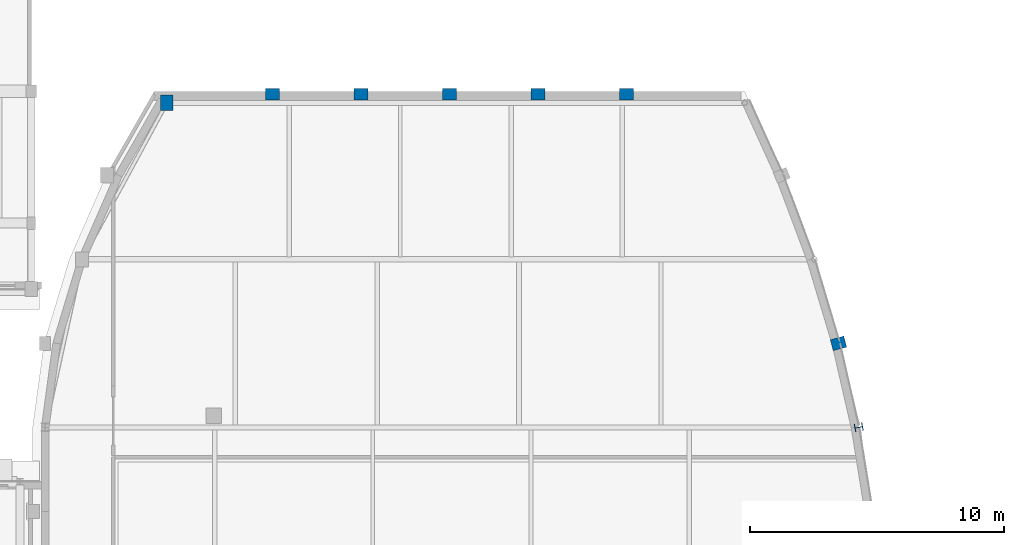
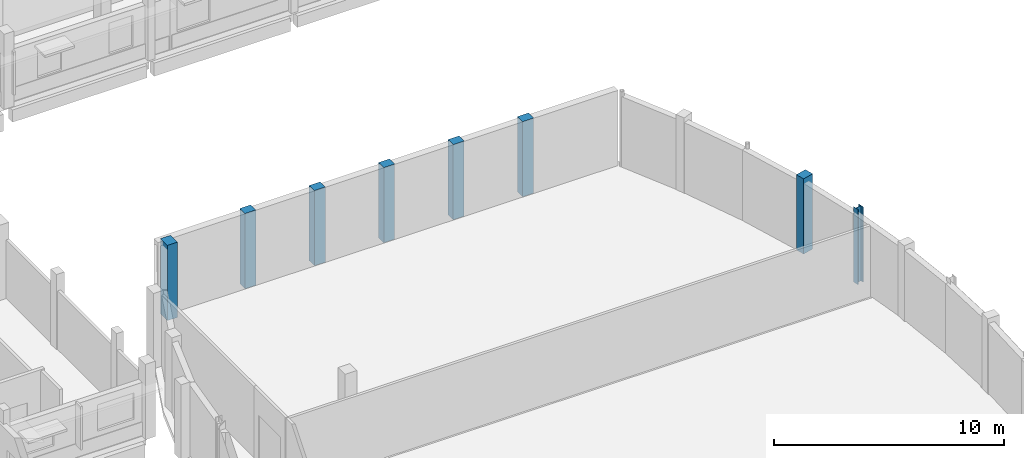
# One storey, part 15 of 105: 8 columns.
"""IFC4 building model written with IfcOpenShell, lengths in metres."""

from ifc_helpers import new_model, si_unit, direction, frame, origin, origin_2d, place, context, subcontext, project, spatial, rectangle, i_section, extrude, material, material_profile, profile_set, type_object, element, save


model = new_model("IFC4")

# Units and contexts
model_context = context("Model", 3, precision=1e-05, world=origin(), true_north=direction((0.0, 1.0)))
body_context = subcontext(model_context, "Body", "Model", "MODEL_VIEW")
ifc_project = project(units=[si_unit("LENGTHUNIT", "METRE"), si_unit("AREAUNIT", "SQUARE_METRE"), si_unit("VOLUMEUNIT", "CUBIC_METRE"), si_unit("PLANEANGLEUNIT", "RADIAN"), si_unit("MASSUNIT", "GRAM", prefix="KILO")], contexts=[model_context])

# Site, building, storey
site_placement = place(None, origin())
site = spatial("IfcSite", under=ifc_project, at=site_placement, CompositionType="ELEMENT")
building_placement = place(site_placement, origin())
building = spatial("IfcBuilding", under=site, at=building_placement, Name="Kelanivale Promenade Academy", CompositionType="ELEMENT")
storey_placement = place(building_placement, frame((0.0, 0.0, 4.199951171875)))
storey = spatial("IfcBuildingStorey", under=building, at=storey_placement, Name="L01", CompositionType="ELEMENT", Elevation=4.199951171875)

# Columns
ifc_material_1 = material(Name="Concrete C40/50", Category="concrete")
ifc_material_profile_1 = material_profile(ifc_material_1, rectangle(XDim=0.449951171875, YDim=0.550048828125, at=origin_2d()), Name="RC-PIL 450x550")
ifc_profile_set_1 = profile_set([ifc_material_profile_1], Name="Concrete C40/50")
column_type_1 = type_object("IfcColumnType", Name="PL-17 RC-PIL 450x550", PredefinedType="PILASTER", material=ifc_profile_set_1)
for number, where, z_axis, x_axis, name in (
    (1, (132.30810546875, 79.280029296875, 0.0), (0.0, 0.0, 1.0), (0.0, 1.0, 0.0), "Column PL-17 at (132.3, 79.3) L01"),
    (2, (135.801025390625, 79.280029296875, 0.0), (0.0, 0.0, 1.0), (0.0, 1.0, 0.0), "Column PL-17 at (135.8, 79.3) L01"),
    (3, (139.2939453125, 79.280029296875, 0.0), (0.0, 0.0, 1.0), (0.0, 1.0, 0.0), "Column PL-17 at (139.3, 79.3) L01"),
    (4, (142.787109375, 79.280029296875, 0.0), (0.0, 0.0, 1.0), (0.0, 1.0, 0.0), "Column PL-17 at (142.8, 79.3) L01"),
    (5, (146.280029296875, 79.280029296875, 0.0), (0.0, 0.0, 1.0), (0.0, 1.0, 0.0), "Column PL-17 at (146.3, 79.3) L01"),
    (6, (154.64208984375, 69.45703125, 0.0), (0.0, 0.0, 1.0), (-0.2549394954, 0.966957007154, 0.0), "Column PL-17 at (154.6, 69.5) L01"),
):
    element("IfcColumn", number, at=place(storey_placement, frame(where, z_axis=z_axis, x_axis=x_axis)), inside=storey, type_object=column_type_1, Name=name, PredefinedType="PILASTER", context=body_context, shape_type="SweptSolid", body=[
        extrude(rectangle(XDim=0.449951171875, YDim=0.550048828125, at=origin_2d()), origin(), (0.0, 0.0, 1.0), 4.0),
    ])
ifc_material_profile_2 = material_profile(ifc_material_1, rectangle(XDim=0.5, YDim=0.60009765625, at=origin_2d()), Name="RC-PIL 500x600")
ifc_profile_set_2 = profile_set([ifc_material_profile_2], Name="Concrete C40/50")
column_type_2 = type_object("IfcColumnType", Name="PL-18 RC-PIL 500x600", PredefinedType="PILASTER", material=ifc_profile_set_2)
column_1_placement = place(storey_placement, frame((128.14990234375, 78.949951171875, 0.0), z_axis=(0.0, 0.0, 1.0), x_axis=(1.0, 0.0, 0.0)))
element("IfcColumn", 7, at=column_1_placement, inside=storey, type_object=column_type_2, Name="Column PL-18 at (128.2, 79.0) L01", PredefinedType="PILASTER", context=body_context, shape_type="SweptSolid", body=[
    extrude(rectangle(XDim=0.5, YDim=0.60009765625, at=origin_2d()), origin(), (0.0, 0.0, 1.0), 4.0),
])
ifc_material_2 = material(Name="Steel S355", Category="steel")
ifc_material_profile_3 = material_profile(ifc_material_2, i_section(OverallWidth=0.307373046875, OverallDepth=0.314453125, WebThickness=0.011962890625, FlangeThickness=0.018798828125, FilletRadius=0.01513671875, at=origin_2d()), Name="UC 305x305x118")
ifc_profile_set_3 = profile_set([ifc_material_profile_3], Name="Steel S355")
column_type_3 = type_object("IfcColumnType", Name="SC-04 UC 305x305x118", PredefinedType="COLUMN", material=ifc_profile_set_3)
column_2_placement = place(storey_placement, frame((155.44091796875, 66.14306640625, 0.0), z_axis=(0.0, 0.0, 1.0), x_axis=(-0.191151636272, 0.981560518741, 0.0)))
element("IfcColumn", 8, at=column_2_placement, inside=storey, type_object=column_type_3, Name="Column SC-04 at (155.4, 66.1) L01", PredefinedType="COLUMN", context=body_context, shape_type="SweptSolid", body=[
    extrude(i_section(OverallWidth=0.307373046875, OverallDepth=0.314453125, WebThickness=0.011962890625, FlangeThickness=0.018798828125, FilletRadius=0.01513671875, at=origin_2d()), origin(), (0.0, 0.0, 1.0), 4.0),
])

save(model, "model.ifc")
